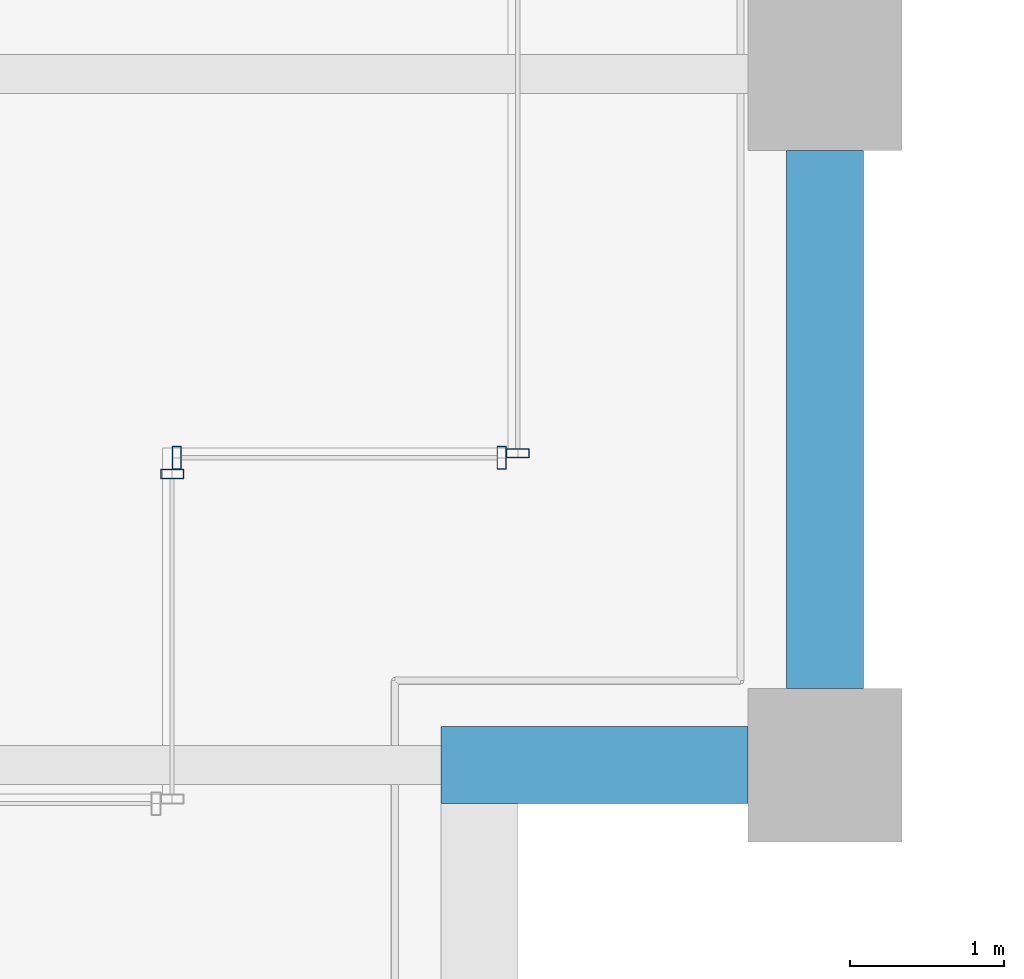
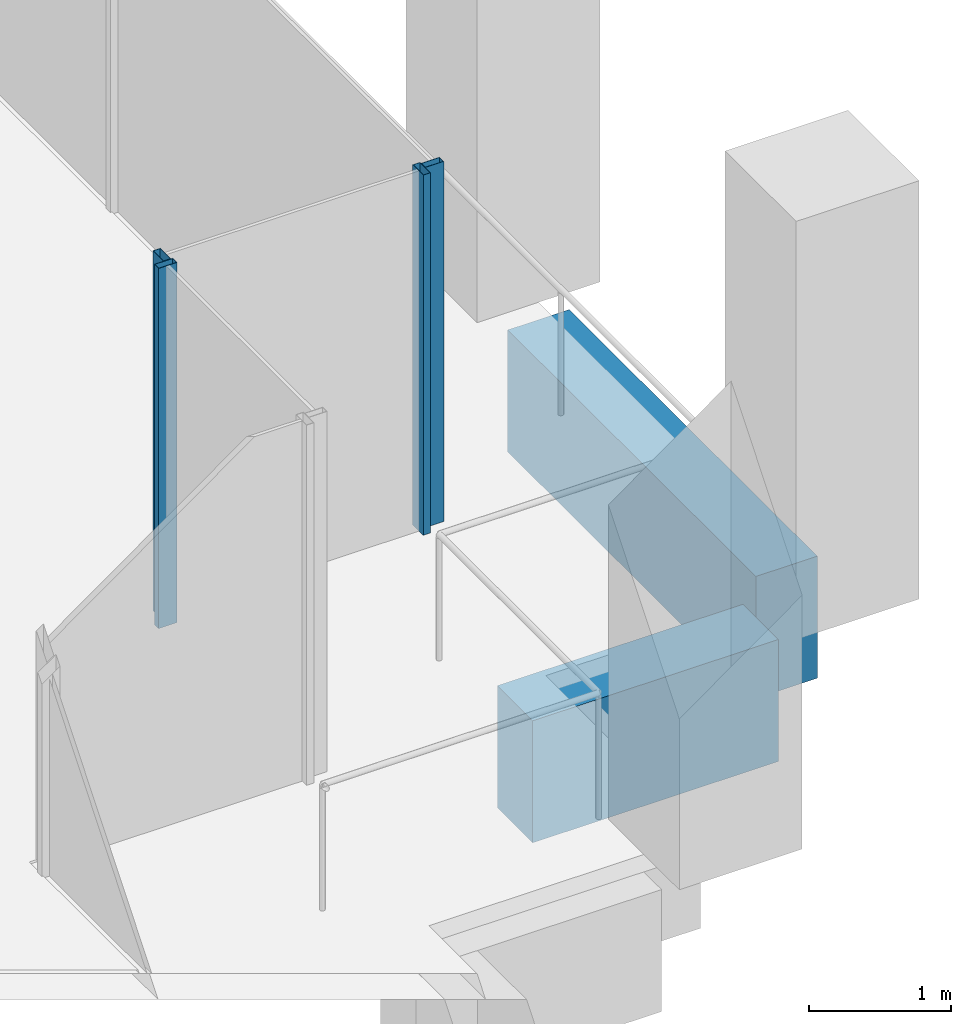
# One storey, part 13 of 46: 4 members, 2 beams, 3 elements without a shape of their own.
"""IFC4 building model written with IfcOpenShell, lengths in metres."""

from ifc_helpers import new_model, si_unit, direction, frame, origin, origin_2d, place, context, subcontext, project, spatial, rectangle, hollow_rectangle, extrude, material, material_profile, profile_set, type_object, element, aggregate, save


model = new_model("IFC4")

# Units and contexts
model_context = context("Model", 3, precision=1e-05, world=origin(), true_north=direction((0.0, 1.0)))
body_context = subcontext(model_context, "Body", "Model", "MODEL_VIEW")
ifc_project = project(units=[si_unit("LENGTHUNIT", "METRE"), si_unit("AREAUNIT", "SQUARE_METRE"), si_unit("VOLUMEUNIT", "CUBIC_METRE"), si_unit("PLANEANGLEUNIT", "RADIAN"), si_unit("MASSUNIT", "GRAM", prefix="KILO")], contexts=[model_context])

# Site, building, storey
site_placement = place(None, origin())
site = spatial("IfcSite", under=ifc_project, at=site_placement, CompositionType="ELEMENT")
building_placement = place(site_placement, origin())
building = spatial("IfcBuilding", under=site, at=building_placement, Name="Altepetl Exchange Towers", CompositionType="ELEMENT")
storey_placement = place(building_placement, frame((0.0, 0.0, 106.39990234375)))
storey = spatial("IfcBuildingStorey", under=building, at=storey_placement, Name="L26", CompositionType="ELEMENT", Elevation=106.39990234375)

# Curtain wall, member
ifc_material_1 = material(Name="Aluminium 6063-T6 glazing", Category="aluminium")
curtain_wall_type = type_object("IfcCurtainWallType", Name="Loggia glazing system", PredefinedType="NOTDEFINED", material=ifc_material_1)
curtain_wall_1_placement = place(storey_placement, origin())
curtain_wall_1 = element("IfcCurtainWall", 1, at=curtain_wall_1_placement, inside=storey, type_object=curtain_wall_type, Name="CW1 run", PredefinedType="NOTDEFINED")
ifc_material_2 = material(Name="Aluminium 6063-T6", Category="aluminium")
ifc_material_profile_1 = material_profile(ifc_material_2, hollow_rectangle(XDim=0.06005859375, YDim=0.14990234375, WallThickness=0.0029296875, at=origin_2d()), Name="Mullion 60x150 aluminium")
ifc_profile_set_1 = profile_set([ifc_material_profile_1], Name="Aluminium 6063-T6")
member_type = type_object("IfcMemberType", Name="Mullion 60x150 aluminium", PredefinedType="MULLION", material=ifc_profile_set_1)
member_1_placement = place(storey_placement, frame((67.75, 33.39501953125, 0.0), z_axis=(0.0, 0.0, 1.0), x_axis=(0.0, 1.0, 0.0)))
member_1 = element("IfcMember", 2, at=member_1_placement, type_object=member_type, Name="MU1 mullion", PredefinedType="MULLION", context=body_context, shape_type="SweptSolid", body=[
    extrude(hollow_rectangle(XDim=0.06005859375, YDim=0.14990234375, WallThickness=0.0029296875, at=origin_2d()), origin(), (0.0, 0.0, 1.0), 3.10009765625),
])
aggregate(curtain_wall_1, [member_1])

# Curtain wall, members
curtain_wall_2_placement = place(storey_placement, origin())
curtain_wall_2 = element("IfcCurtainWall", 3, at=curtain_wall_2_placement, inside=storey, type_object=curtain_wall_type, Name="CW1 run", PredefinedType="NOTDEFINED")
member_2_placement = place(storey_placement, frame((67.780029296875, 33.5, 0.0)))
member_2 = element("IfcMember", 4, at=member_2_placement, type_object=member_type, Name="MU1 mullion", PredefinedType="MULLION", context=body_context, shape_type="SweptSolid", body=[
    extrude(hollow_rectangle(XDim=0.06005859375, YDim=0.14990234375, WallThickness=0.0029296875, at=origin_2d()), origin(), (0.0, 0.0, 1.0), 3.10009765625),
])
member_3_placement = place(storey_placement, frame((69.89501953125, 33.5, 0.0)))
member_3 = element("IfcMember", 5, at=member_3_placement, type_object=member_type, Name="MU1 mullion", PredefinedType="MULLION", context=body_context, shape_type="SweptSolid", body=[
    extrude(hollow_rectangle(XDim=0.06005859375, YDim=0.14990234375, WallThickness=0.0029296875, at=origin_2d()), origin(), (0.0, 0.0, 1.0), 3.10009765625),
])
aggregate(curtain_wall_2, [member_2, member_3])

# Curtain wall, member
curtain_wall_3_placement = place(storey_placement, origin())
curtain_wall_3 = element("IfcCurtainWall", 6, at=curtain_wall_3_placement, inside=storey, type_object=curtain_wall_type, Name="CW1 run", PredefinedType="NOTDEFINED")
member_4_placement = place(storey_placement, frame((70.0, 33.530029296875, 0.0), z_axis=(0.0, 0.0, 1.0), x_axis=(0.0, 1.0, 0.0)))
member_4 = element("IfcMember", 7, at=member_4_placement, type_object=member_type, Name="MU1 mullion", PredefinedType="MULLION", context=body_context, shape_type="SweptSolid", body=[
    extrude(hollow_rectangle(XDim=0.06005859375, YDim=0.14990234375, WallThickness=0.0029296875, at=origin_2d()), origin(), (0.0, 0.0, 1.0), 3.10009765625),
])
aggregate(curtain_wall_3, [member_4])

# Beams
ifc_material_3 = material(Name="Concrete C50/60 precast with cantera amarilla facing", Category="concrete")
ifc_material_profile_2 = material_profile(ifc_material_3, rectangle(XDim=0.5, YDim=1.050048828125, at=origin_2d()), Name="500 x 1050")
ifc_profile_set_2 = profile_set([ifc_material_profile_2], Name="Concrete C50/60 precast with cantera amarilla facing")
beam_type = type_object("IfcBeamType", Name="Spandrel beam 500x1050 cantera amarilla", PredefinedType="SPANDREL", material=ifc_profile_set_2)
beam_1_placement = place(storey_placement, frame((69.5, 31.5, -0.6748046875), z_axis=(1.0, 0.0, 0.0), x_axis=(0.0, 1.0, 0.0)))
element("IfcBeam", 8, at=beam_1_placement, inside=storey, type_object=beam_type, Name="sp:A:L26:011", PredefinedType="SPANDREL", context=body_context, shape_type="SweptSolid", body=[
    extrude(rectangle(XDim=0.5, YDim=1.050048828125, at=origin_2d()), origin(), (0.0, 0.0, 1.0), 2.0),
])
beam_2_placement = place(storey_placement, frame((72.0, 32.0, -0.6748046875), z_axis=(0.0, 1.0, 0.0), x_axis=(-1.0, 0.0, 0.0)))
element("IfcBeam", 9, at=beam_2_placement, inside=storey, type_object=beam_type, Name="sp:A:L26:012", PredefinedType="SPANDREL", context=body_context, shape_type="SweptSolid", body=[
    extrude(rectangle(XDim=0.5, YDim=1.050048828125, at=origin_2d()), origin(), (0.0, 0.0, 1.0), 3.5),
])

save(model, "model.ifc")
